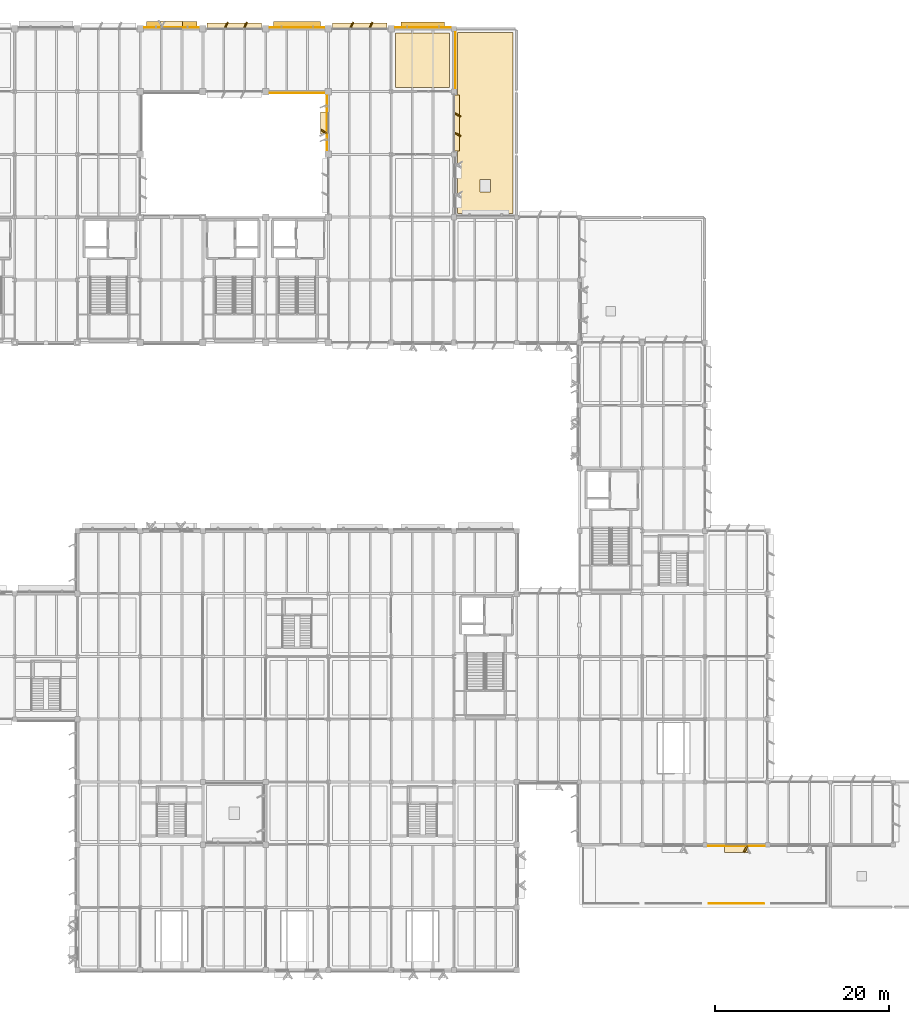
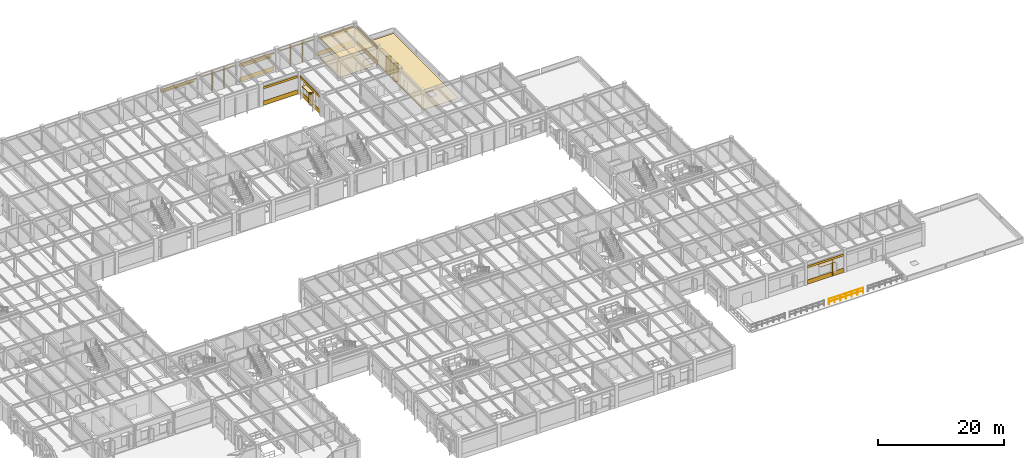
# One storey, part 91 of 92: 30 coverings, 3 shading devices, 1 railing.
"""IFC4 building model written with IfcOpenShell, lengths in metres."""

from ifc_helpers import new_model, si_unit, direction, frame, frame_2d, origin, origin_2d, place, context, subcontext, project, spatial, polyline, rectangle, circle, outline, extrude, material, layer, layer_set, type_object, element, save


model = new_model("IFC4")

# Units and contexts
model_context = context("Model", 3, precision=1e-05, world=origin(), true_north=direction((0.0, 1.0)))
body_context = subcontext(model_context, "Body", "Model", "MODEL_VIEW")
ifc_project = project(units=[si_unit("LENGTHUNIT", "METRE"), si_unit("AREAUNIT", "SQUARE_METRE"), si_unit("VOLUMEUNIT", "CUBIC_METRE"), si_unit("PLANEANGLEUNIT", "RADIAN"), si_unit("MASSUNIT", "GRAM", prefix="KILO")], contexts=[model_context])

# Site, building, storey
site_placement = place(None, origin())
site = spatial("IfcSite", under=ifc_project, at=site_placement, CompositionType="ELEMENT")
building_placement = place(site_placement, origin())
building = spatial("IfcBuilding", under=site, at=building_placement, Name="Sillqori Civic Hall", CompositionType="ELEMENT")
storey_placement = place(building_placement, frame((0.0, 0.0, 5.39990234375)))
storey = spatial("IfcBuildingStorey", under=building, at=storey_placement, Name="L02", CompositionType="ELEMENT", Elevation=5.39990234375)

# Coverings
ifc_material_1 = material(Name="Perforated Metal Coffer Panel 64", Category="aluminium")
ifc_layer_1 = layer(ifc_material_1, 0.06396484375)
ifc_layer_set_1 = layer_set([ifc_layer_1], Name="Perforated Metal Coffer Panel 64")
covering_type_1 = type_object("IfcCoveringType", Name="COV-CEIL-M64", PredefinedType="CEILING", material=ifc_layer_set_1)
covering_1_placement = place(storey_placement, frame((0.0, 0.0, 3.837158203125)))
element("IfcCovering", 1, at=covering_1_placement, inside=storey, type_object=covering_type_1, Name="Municipal Cadastre GIS Mapping Studio L02-10 acoustic ceiling", PredefinedType="CEILING", context=body_context, shape_type="SweptSolid", body=[
    extrude(outline(polyline([(101.280029296875, 108.47998046875), (107.52001953125, 108.47998046875), (107.52001953125, 114.719970703125), (101.280029296875, 114.719970703125), (101.280029296875, 108.47998046875)])), origin(), (0.0, 0.0, 1.0), 0.06396484375),
])
ifc_material_2 = material(Name="Cochabamba Honed Limestone Cladding", Category="masonry")
ifc_layer_2 = layer(ifc_material_2, 0.044921875)
ifc_layer_set_2 = layer_set([ifc_layer_2], Name="Cochabamba Honed Limestone Cladding")
covering_type_2 = type_object("IfcCoveringType", Name="COV-CLAD-LIME", PredefinedType="CLADDING", material=ifc_layer_set_2)
covering_2_placement = place(storey_placement, frame((72.455078125, 115.360107421875, 3.22021484375), z_axis=(0.0, 0.0, 1.0), x_axis=(1.0, 0.0, 0.0)))
element("IfcCovering", 2, at=covering_2_placement, inside=storey, type_object=covering_type_2, Name="L02 limestone frieze cladding L02-10-15-N", PredefinedType="CLADDING", context=body_context, shape_type="SweptSolid", body=[
    extrude(rectangle(XDim=6.2900390625, YDim=0.044921875, at=frame_2d((3.14501953125, 0.0))), origin(), (0.0, 0.0, 1.0), 0.43798828125),
])
covering_3_placement = place(storey_placement, frame((74.320068359375, 115.699951171875, 2.89013671875), z_axis=(0.0, 0.0, 1.0), x_axis=(1.0, 0.0, 0.0)))
element("IfcCovering", 3, at=covering_3_placement, inside=storey, type_object=covering_type_2, Name="Sawtooth limestone window hood L02-10-15-N.1", PredefinedType="CLADDING", context=body_context, shape_type="SweptSolid", body=[
    extrude(rectangle(XDim=2.559814453125, YDim=0.780029296875, at=frame_2d((1.27978515625, 0.0))), origin(), (0.0, 0.0, 1.0), 0.139892578125),
])
covering_4_placement = place(storey_placement, frame((79.655029296875, 115.52001953125, 3.51806640625), z_axis=(0.0, 0.0, 1.0), x_axis=(1.0, 0.0, 0.0)))
element("IfcCovering", 4, at=covering_4_placement, inside=storey, type_object=covering_type_2, Name="L02 curtain-wall limestone solar hood L02-11-15-N", PredefinedType="CLADDING", context=body_context, shape_type="SweptSolid", body=[
    extrude(rectangle(XDim=6.2900390625, YDim=0.679931640625, at=frame_2d((3.14501953125, 0.0))), origin(), (0.0, 0.0, 1.0), 0.179931640625),
])
for number, where, z_axis, x_axis, name in (
    (5, (81.70361328125, 115.25, 0.06005859375), (0.0, 0.0, 1.0), (0.44709226377, 0.894487846579, 0.0), "L02 curtain-wall angled stone fin L02-11-15-N.1"),
    (6, (83.896484375, 115.25, 0.06005859375), (0.0, 0.0, 1.0), (0.447334902547, 0.894366527193, 0.0), "L02 curtain-wall angled stone fin L02-11-15-N.2"),
):
    element("IfcCovering", number, at=place(storey_placement, frame(where, z_axis=z_axis, x_axis=x_axis)), inside=storey, type_object=covering_type_2, Name=name, PredefinedType="CLADDING", context=body_context, shape_type="SweptSolid", body=[
        extrude(rectangle(XDim=0.804931640625, YDim=0.139892578125, at=frame_2d((0.40234375, 0.0))), origin(), (0.0, 0.0, 1.0), 3.4580078125),
    ])
covering_5_placement = place(storey_placement, frame((93.14501953125, 107.840087890625, 0.0400390625), z_axis=(0.0, 0.0, 1.0), x_axis=(-1.0, 0.0, 0.0)))
element("IfcCovering", 7, at=covering_5_placement, inside=storey, type_object=covering_type_2, Name="L02 limestone spandrel cladding L02-12-15-S", PredefinedType="CLADDING", context=body_context, shape_type="SweptSolid", body=[
    extrude(rectangle(XDim=6.2900390625, YDim=0.044921875, at=frame_2d((3.14501953125, 0.0))), origin(), (0.0, 0.0, 1.0), 0.860107421875),
])
covering_6_placement = place(storey_placement, frame((93.14501953125, 107.840087890625, 3.22021484375), z_axis=(0.0, 0.0, 1.0), x_axis=(-1.0, 0.0, 0.0)))
element("IfcCovering", 8, at=covering_6_placement, inside=storey, type_object=covering_type_2, Name="L02 limestone frieze cladding L02-12-15-S", PredefinedType="CLADDING", context=body_context, shape_type="SweptSolid", body=[
    extrude(rectangle(XDim=6.2900390625, YDim=0.044921875, at=frame_2d((3.14501953125, 0.0))), origin(), (0.0, 0.0, 1.0), 0.43798828125),
])
covering_7_placement = place(storey_placement, frame((86.85498046875, 115.360107421875, 0.0400390625), z_axis=(0.0, 0.0, 1.0), x_axis=(1.0, 0.0, 0.0)))
element("IfcCovering", 9, at=covering_7_placement, inside=storey, type_object=covering_type_2, Name="L02 limestone spandrel cladding L02-12-15-N", PredefinedType="CLADDING", context=body_context, shape_type="SweptSolid", body=[
    extrude(rectangle(XDim=6.2900390625, YDim=0.044921875, at=frame_2d((3.14501953125, 0.0))), origin(), (0.0, 0.0, 1.0), 0.860107421875),
])
covering_8_placement = place(storey_placement, frame((86.85498046875, 115.360107421875, 3.22021484375), z_axis=(0.0, 0.0, 1.0), x_axis=(1.0, 0.0, 0.0)))
element("IfcCovering", 10, at=covering_8_placement, inside=storey, type_object=covering_type_2, Name="L02 limestone frieze cladding L02-12-15-N", PredefinedType="CLADDING", context=body_context, shape_type="SweptSolid", body=[
    extrude(rectangle(XDim=6.2900390625, YDim=0.044921875, at=frame_2d((3.14501953125, 0.0))), origin(), (0.0, 0.0, 1.0), 0.43798828125),
])
covering_9_placement = place(storey_placement, frame((93.43994140625, 101.2548828125, 0.0400390625), z_axis=(0.0, 0.0, 1.0), x_axis=(0.0, 1.0, 0.0)))
element("IfcCovering", 11, at=covering_9_placement, inside=storey, type_object=covering_type_2, Name="L02 limestone spandrel cladding L02-13-14-W", PredefinedType="CLADDING", context=body_context, shape_type="SweptSolid", body=[
    extrude(rectangle(XDim=6.2900390625, YDim=0.044921875, at=frame_2d((3.14501953125, 0.0))), origin(), (0.0, 0.0, 1.0), 0.860107421875),
])
covering_10_placement = place(storey_placement, frame((93.43994140625, 101.2548828125, 3.22021484375), z_axis=(0.0, 0.0, 1.0), x_axis=(0.0, 1.0, 0.0)))
element("IfcCovering", 12, at=covering_10_placement, inside=storey, type_object=covering_type_2, Name="L02 limestone frieze cladding L02-13-14-W", PredefinedType="CLADDING", context=body_context, shape_type="SweptSolid", body=[
    extrude(rectangle(XDim=6.2900390625, YDim=0.044921875, at=frame_2d((3.14501953125, 0.0))), origin(), (0.0, 0.0, 1.0), 0.5068359375),
])
covering_11_placement = place(storey_placement, frame((93.47998046875, 103.179931640625, 0.830078125), z_axis=(0.0, 0.0, 1.0), x_axis=(-0.865989465428, 0.500062241894, 0.0)))
element("IfcCovering", 13, at=covering_11_placement, inside=storey, type_object=covering_type_2, Name="Sawtooth limestone angled reveal cheek L02-13-14-W.1", PredefinedType="CLADDING", context=body_context, shape_type="SweptSolid", body=[
    extrude(rectangle(XDim=0.85009765625, YDim=0.179931640625, at=frame_2d((0.425048828125, 0.0))), origin(), (0.0, 0.0, 1.0), 2.199951171875),
])
covering_12_placement = place(storey_placement, frame((93.10009765625, 103.1201171875, 2.89013671875), z_axis=(0.0, 0.0, 1.0), x_axis=(0.0, 1.0, 0.0)))
element("IfcCovering", 14, at=covering_12_placement, inside=storey, type_object=covering_type_2, Name="Sawtooth limestone window hood L02-13-14-W.1", PredefinedType="CLADDING", context=body_context, shape_type="SweptSolid", body=[
    extrude(rectangle(XDim=2.559814453125, YDim=0.780029296875, at=frame_2d((1.27978515625, 0.0))), origin(), (0.0, 0.0, 1.0), 0.139892578125),
])
covering_13_placement = place(storey_placement, frame((94.054931640625, 115.52001953125, 3.51806640625), z_axis=(0.0, 0.0, 1.0), x_axis=(1.0, 0.0, 0.0)))
element("IfcCovering", 15, at=covering_13_placement, inside=storey, type_object=covering_type_2, Name="L02 curtain-wall limestone solar hood L02-13-15-N", PredefinedType="CLADDING", context=body_context, shape_type="SweptSolid", body=[
    extrude(rectangle(XDim=6.2900390625, YDim=0.679931640625, at=frame_2d((3.14501953125, 0.0))), origin(), (0.0, 0.0, 1.0), 0.179931640625),
])
for number, where, z_axis, x_axis, name in (
    (16, (96.103515625, 115.25, 0.06005859375), (0.0, 0.0, 1.0), (0.44709226377, 0.894487846579, 0.0), "L02 curtain-wall angled stone fin L02-13-15-N.1"),
    (17, (98.29638671875, 115.25, 0.06005859375), (0.0, 0.0, 1.0), (0.447334902547, 0.894366527193, 0.0), "L02 curtain-wall angled stone fin L02-13-15-N.2"),
):
    element("IfcCovering", number, at=place(storey_placement, frame(where, z_axis=z_axis, x_axis=x_axis)), inside=storey, type_object=covering_type_2, Name=name, PredefinedType="CLADDING", context=body_context, shape_type="SweptSolid", body=[
        extrude(rectangle(XDim=0.804931640625, YDim=0.139892578125, at=frame_2d((0.40234375, 0.0))), origin(), (0.0, 0.0, 1.0), 3.4580078125),
    ])
covering_14_placement = place(storey_placement, frame((108.320068359375, 107.6201171875, 3.587158203125), z_axis=(0.0, 0.0, 1.0), x_axis=(0.0, -1.0, 0.0)))
element("IfcCovering", 18, at=covering_14_placement, inside=storey, type_object=covering_type_2, Name="L02 curtain-wall limestone solar hood L02-14-14-E", PredefinedType="CLADDING", context=body_context, shape_type="SweptSolid", body=[
    extrude(rectangle(XDim=6.440185546875, YDim=0.679931640625, at=frame_2d((3.22021484375, 0.0))), origin(), (0.0, 0.0, 1.0), 0.179931640625),
])
for number, where, z_axis, x_axis, name in (
    (19, (108.050048828125, 105.52197265625, 0.06005859375), (0.0, 0.0, 1.0), (0.894487846579, -0.44709226377, 0.0), "L02 curtain-wall angled stone fin L02-14-14-E.1"),
    (20, (108.050048828125, 103.278076171875, 0.06005859375), (0.0, 0.0, 1.0), (0.894366527193, -0.447334902547, 0.0), "L02 curtain-wall angled stone fin L02-14-14-E.2"),
):
    element("IfcCovering", number, at=place(storey_placement, frame(where, z_axis=z_axis, x_axis=x_axis)), inside=storey, type_object=covering_type_2, Name=name, PredefinedType="CLADDING", context=body_context, shape_type="SweptSolid", body=[
        extrude(rectangle(XDim=0.804931640625, YDim=0.139892578125, at=frame_2d((0.40234375, 0.0))), origin(), (0.0, 0.0, 1.0), 3.527099609375),
    ])
covering_15_placement = place(storey_placement, frame((101.2548828125, 115.360107421875, 0.0400390625), z_axis=(0.0, 0.0, 1.0), x_axis=(1.0, 0.0, 0.0)))
element("IfcCovering", 21, at=covering_15_placement, inside=storey, type_object=covering_type_2, Name="L02 limestone spandrel cladding L02-14-15-N", PredefinedType="CLADDING", context=body_context, shape_type="SweptSolid", body=[
    extrude(rectangle(XDim=6.365234375, YDim=0.044921875, at=frame_2d((3.1826171875, 0.0))), origin(), (0.0, 0.0, 1.0), 0.860107421875),
])
covering_16_placement = place(storey_placement, frame((101.2548828125, 115.360107421875, 3.22021484375), z_axis=(0.0, 0.0, 1.0), x_axis=(1.0, 0.0, 0.0)))
element("IfcCovering", 22, at=covering_16_placement, inside=storey, type_object=covering_type_2, Name="L02 limestone frieze cladding L02-14-15-N", PredefinedType="CLADDING", context=body_context, shape_type="SweptSolid", body=[
    extrude(rectangle(XDim=6.365234375, YDim=0.044921875, at=frame_2d((3.1826171875, 0.0))), origin(), (0.0, 0.0, 1.0), 0.43798828125),
])
covering_17_placement = place(storey_placement, frame((108.159912109375, 114.820068359375, 0.0400390625), z_axis=(0.0, 0.0, 1.0), x_axis=(0.0, -1.0, 0.0)))
element("IfcCovering", 23, at=covering_17_placement, inside=storey, type_object=covering_type_2, Name="L02 limestone spandrel cladding L02-14-15-E", PredefinedType="CLADDING", context=body_context, shape_type="SweptSolid", body=[
    extrude(rectangle(XDim=6.440185546875, YDim=0.044921875, at=frame_2d((3.22021484375, 0.0))), origin(), (0.0, 0.0, 1.0), 0.860107421875),
])
covering_18_placement = place(storey_placement, frame((108.159912109375, 114.820068359375, 3.22021484375), z_axis=(0.0, 0.0, 1.0), x_axis=(0.0, -1.0, 0.0)))
element("IfcCovering", 24, at=covering_18_placement, inside=storey, type_object=covering_type_2, Name="L02 limestone frieze cladding L02-14-15-E", PredefinedType="CLADDING", context=body_context, shape_type="SweptSolid", body=[
    extrude(rectangle(XDim=6.440185546875, YDim=0.044921875, at=frame_2d((3.22021484375, 0.0))), origin(), (0.0, 0.0, 1.0), 0.5068359375),
])
covering_19_placement = place(storey_placement, frame((143.669921875, 21.429931640625, 0.0400390625), z_axis=(0.0, 0.0, 1.0), x_axis=(-1.0, 0.0, 0.0)))
element("IfcCovering", 25, at=covering_19_placement, inside=storey, type_object=covering_type_2, Name="L02 limestone spandrel cladding L02-19-03-S", PredefinedType="CLADDING", context=body_context, shape_type="SweptSolid", body=[
    extrude(rectangle(XDim=6.5400390625, YDim=0.044921875, at=frame_2d((3.27001953125, 0.0))), origin(), (0.0, 0.0, 1.0), 0.860107421875),
])
covering_20_placement = place(storey_placement, frame((143.669921875, 21.429931640625, 3.22021484375), z_axis=(0.0, 0.0, 1.0), x_axis=(-1.0, 0.0, 0.0)))
element("IfcCovering", 26, at=covering_20_placement, inside=storey, type_object=covering_type_2, Name="L02 limestone frieze cladding L02-19-03-S", PredefinedType="CLADDING", context=body_context, shape_type="SweptSolid", body=[
    extrude(rectangle(XDim=6.5400390625, YDim=0.044921875, at=frame_2d((3.27001953125, 0.0))), origin(), (0.0, 0.0, 1.0), 0.427978515625),
])
covering_21_placement = place(storey_placement, frame((141.695068359375, 21.469970703125, 0.830078125), z_axis=(0.0, 0.0, 1.0), x_axis=(-0.500062241894, -0.865989465428, 0.0)))
element("IfcCovering", 27, at=covering_21_placement, inside=storey, type_object=covering_type_2, Name="Sawtooth limestone angled reveal cheek L02-19-03-S.1", PredefinedType="CLADDING", context=body_context, shape_type="SweptSolid", body=[
    extrude(rectangle(XDim=0.85009765625, YDim=0.179931640625, at=frame_2d((0.425048828125, 0.0))), origin(), (0.0, 0.0, 1.0), 2.35009765625),
])
covering_22_placement = place(storey_placement, frame((141.7548828125, 21.090087890625, 3.0400390625), z_axis=(0.0, 0.0, 1.0), x_axis=(-1.0, 0.0, 0.0)))
element("IfcCovering", 28, at=covering_22_placement, inside=storey, type_object=covering_type_2, Name="Sawtooth limestone window hood L02-19-03-S.1", PredefinedType="CLADDING", context=body_context, shape_type="SweptSolid", body=[
    extrude(rectangle(XDim=2.7099609375, YDim=0.780029296875, at=frame_2d((1.35498046875, 0.0))), origin(), (0.0, 0.0, 1.0), 0.14013671875),
])
ifc_material_3 = material(Name="Acoustic Sprung Timber Flooring 30", Category="wood")
ifc_layer_3 = layer(ifc_material_3, 0.030029296875)
ifc_layer_set_3 = layer_set([ifc_layer_3], Name="Acoustic Sprung Timber Flooring 30")
covering_type_3 = type_object("IfcCoveringType", Name="COV-FLR-T30", PredefinedType="FLOORING", material=ifc_layer_set_3)
covering_23_placement = place(storey_placement, origin())
element("IfcCovering", 29, at=covering_23_placement, inside=storey, type_object=covering_type_3, Name="Municipal Cadastre GIS Mapping Studio L02-10 floor finish", PredefinedType="FLOORING", context=body_context, shape_type="SweptSolid", body=[
    extrude(outline(polyline([(101.280029296875, 108.47998046875), (107.52001953125, 108.47998046875), (107.52001953125, 114.719970703125), (101.280029296875, 114.719970703125), (101.280029296875, 108.47998046875)])), origin(), (0.0, 0.0, 1.0), 0.030029296875),
])
ifc_material_4 = material(Name="Insulated Standing-Seam Solar Roof Membrane", Category="membrane")
ifc_layer_4 = layer(ifc_material_4, 0.054931640625)
ifc_layer_set_4 = layer_set([ifc_layer_4], Name="Insulated Standing-Seam Solar Roof Membrane")
covering_type_4 = type_object("IfcCoveringType", Name="COV-ROOF-TPO", PredefinedType="ROOFING", material=ifc_layer_set_4)
covering_24_placement = place(storey_placement, origin())
element("IfcCovering", 30, at=covering_24_placement, inside=storey, type_object=covering_type_4, Name="L02 insulated TPO roof membrane ROOF-FLAT-L01-6", PredefinedType="ROOFING", context=body_context, shape_type="SweptSolid", body=[
    extrude(outline(polyline([(108.39990234375, 94.0), (114.800048828125, 94.0), (114.800048828125, 114.800048828125), (108.39990234375, 114.800048828125), (108.39990234375, 94.0)]), holes=[polyline([(111.0, 96.5), (111.0, 97.89990234375), (112.199951171875, 97.89990234375), (112.199951171875, 96.5), (111.0, 96.5)])]), origin(), (0.0, 0.0, 1.0), 0.05517578125),
])

# Railing
ifc_material_5 = material(Name="Architectural Bronze and Tempered Glass Balustrade", Category="glass")
ifc_layer_5 = layer(ifc_material_5, 0.080078125)
ifc_layer_set_5 = layer_set([ifc_layer_5], Name="Architectural Bronze and Tempered Glass Balustrade")
railing_type = type_object("IfcRailingType", Name="RLG-BALU-115", PredefinedType="BALUSTRADE", material=ifc_layer_set_5)
railing_placement = place(storey_placement, frame((137.239990234375, 14.840087890625, 0.0)))
element("IfcRailing", 31, at=railing_placement, inside=storey, type_object=railing_type, Name="Library South Reading Terrace perimeter guard S-03", PredefinedType="BALUSTRADE", context=body_context, shape_type="SweptSolid", body=[
    extrude(circle(Radius=0.02392578125, at=origin_2d()), frame((0.0, 0.0, 1.1259765625), z_axis=(1.0, 0.0, 0.0), x_axis=(0.0, 1.0, 0.0)), (0.0, 0.0, 1.0), 6.320068359375),
    extrude(circle(Radius=0.02392578125, at=origin_2d()), frame((0.0, 0.0, 0.574951171875), z_axis=(1.0, 0.0, 0.0), x_axis=(0.0, 1.0, 0.0)), (0.0, 0.0, 1.0), 6.320068359375),
    extrude(circle(Radius=0.02099609375, at=origin_2d()), origin(), (0.0, 0.0, 1.0), 1.101806640625),
    extrude(circle(Radius=0.02099609375, at=origin_2d()), frame((1.05322265625, 0.0, 0.0)), (0.0, 0.0, 1.0), 1.101806640625),
    extrude(circle(Radius=0.02099609375, at=origin_2d()), frame((2.106689453125, 0.0, 0.0)), (0.0, 0.0, 1.0), 1.101806640625),
    extrude(circle(Radius=0.02099609375, at=origin_2d()), frame((3.16015625, 0.0, 0.0)), (0.0, 0.0, 1.0), 1.101806640625),
    extrude(circle(Radius=0.02099609375, at=origin_2d()), frame((4.21337890625, 0.0, 0.0)), (0.0, 0.0, 1.0), 1.101806640625),
    extrude(circle(Radius=0.02099609375, at=origin_2d()), frame((5.2666015625, 0.0, 0.0)), (0.0, 0.0, 1.0), 1.101806640625),
    extrude(circle(Radius=0.02099609375, at=origin_2d()), frame((6.320068359375, 0.0, 0.0)), (0.0, 0.0, 1.0), 1.101806640625),
])

# Shading devices
ifc_material_6 = material(Name="Anodized Aluminium Solar Control Louvre", Category="aluminium")
shading_device_type_1 = type_object("IfcShadingDeviceType", Name="SHD-HOOD-500", PredefinedType="JALOUSIE", material=ifc_material_6)
shading_device_1_placement = place(storey_placement, frame((104.4375, 115.64990234375, 2.8701171875), z_axis=(0.0, 0.0, 1.0), x_axis=(1.0, 0.0, 0.0)))
element("IfcShadingDevice", 32, at=shading_device_1_placement, inside=storey, type_object=shading_device_type_1, Name="L02 north solar hood L02-14-15-N", PredefinedType="JALOUSIE", context=body_context, shape_type="SweptSolid", body=[
    extrude(rectangle(XDim=5.0, YDim=0.64990234375, at=origin_2d()), origin(), (0.0, 0.0, 1.0), 0.139892578125),
])
shading_device_type_2 = type_object("IfcShadingDeviceType", Name="SHD-HOOD-540", PredefinedType="JALOUSIE", material=ifc_material_6)
shading_device_2_placement = place(storey_placement, frame((90.0, 115.675048828125, 2.77001953125), z_axis=(0.0, 0.0, 1.0), x_axis=(1.0, 0.0, 0.0)))
element("IfcShadingDevice", 33, at=shading_device_2_placement, inside=storey, type_object=shading_device_type_2, Name="L02 north solar hood L02-12-15-N", PredefinedType="JALOUSIE", context=body_context, shape_type="SweptSolid", body=[
    extrude(rectangle(XDim=5.39990234375, YDim=0.699951171875, at=origin_2d()), origin(), (0.0, 0.0, 1.0), 0.139892578125),
])
shading_device_type_3 = type_object("IfcShadingDeviceType", Name="SHD-HOOD-580", PredefinedType="JALOUSIE", material=ifc_material_6)
shading_device_3_placement = place(storey_placement, frame((75.60009765625, 115.699951171875, 2.919921875), z_axis=(0.0, 0.0, 1.0), x_axis=(1.0, 0.0, 0.0)))
element("IfcShadingDevice", 34, at=shading_device_3_placement, inside=storey, type_object=shading_device_type_3, Name="L02 north solar hood L02-10-15-N", PredefinedType="JALOUSIE", context=body_context, shape_type="SweptSolid", body=[
    extrude(rectangle(XDim=5.800048828125, YDim=0.75, at=origin_2d()), origin(), (0.0, 0.0, 1.0), 0.139892578125),
])

save(model, "model.ifc")
